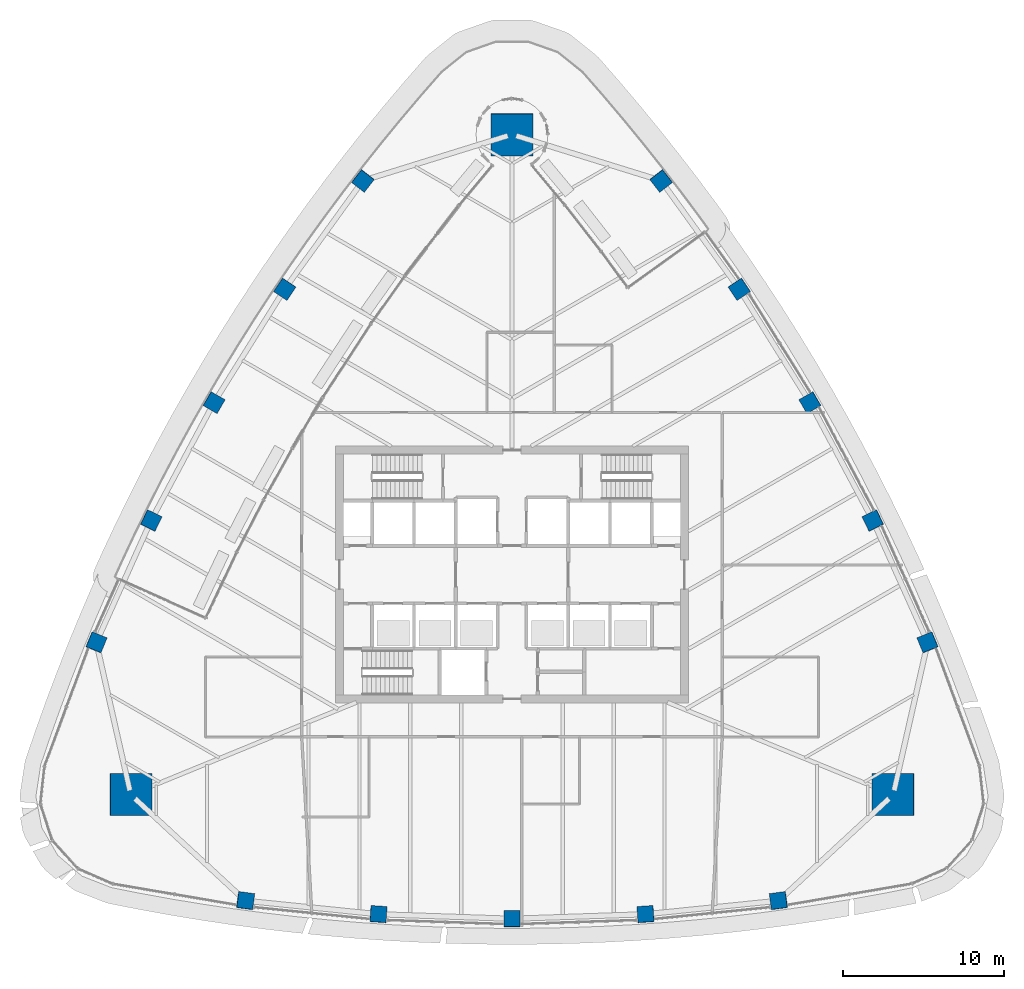
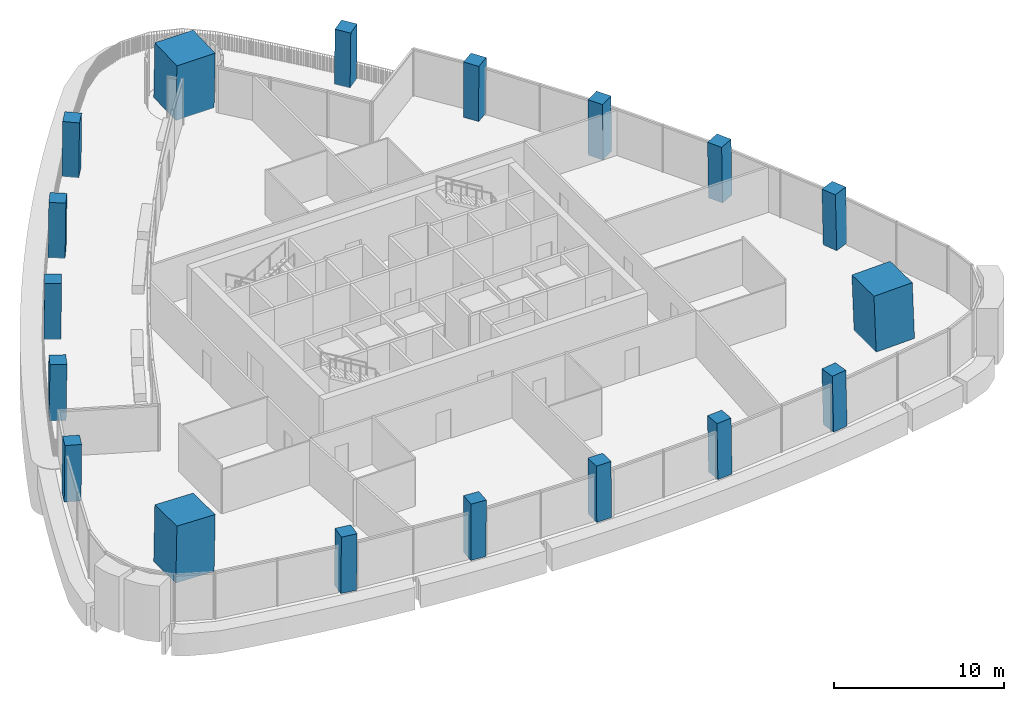
# One storey, part 1 of 19: 18 columns.
"""IFC4 building model written with IfcOpenShell, lengths in metres."""

from ifc_helpers import new_model, si_unit, direction, frame, origin, origin_2d, place, context, subcontext, project, spatial, rectangle, extrude, material, material_profile, profile_set, type_object, element, save


model = new_model("IFC4")

# Units and contexts
model_context = context("Model", 3, precision=1e-05, world=origin(), true_north=direction((0.0, 1.0)))
body_context = subcontext(model_context, "Body", "Model", "MODEL_VIEW")
ifc_project = project(units=[si_unit("LENGTHUNIT", "METRE"), si_unit("AREAUNIT", "SQUARE_METRE"), si_unit("VOLUMEUNIT", "CUBIC_METRE"), si_unit("PLANEANGLEUNIT", "RADIAN"), si_unit("MASSUNIT", "GRAM", prefix="KILO")], contexts=[model_context])

# Site, building, storey
site_placement = place(None, origin())
site = spatial("IfcSite", under=ifc_project, at=site_placement, CompositionType="ELEMENT")
building_placement = place(site_placement, origin())
building = spatial("IfcBuilding", under=site, at=building_placement, Name="Sierra Prisma Convention Tower", CompositionType="ELEMENT")
storey_placement = place(building_placement, frame((0.0, 0.0, 173.800048828125)))
storey = spatial("IfcBuildingStorey", under=building, at=storey_placement, Name="L38", CompositionType="ELEMENT", Elevation=173.800048828125)

# Columns
ifc_material_1 = material(Name="Concrete C60/75", Category="concrete")
ifc_material_profile_1 = material_profile(ifc_material_1, rectangle(XDim=2.60009765625, YDim=2.60009765625, at=origin_2d()), Name="Mega column RC 2600 C60/75")
ifc_profile_set_1 = profile_set([ifc_material_profile_1], Name="Concrete C60/75")
column_type_1 = type_object("IfcColumnType", Name="Mega column RC 2600 C60/75", PredefinedType="COLUMN", material=ifc_profile_set_1)
for number, where, z_axis, x_axis, name in (
    (1, (23.747314453125, -13.71044921875, 0.0), (-0.028061445165, 0.016165832541, 0.999475473012), (0.999606200108, 0.000453815336, 0.028057775329), "Mega column SE L38"),
    (2, (0.0, 27.4208984375, 0.0), (0.0, -0.032331720729, 0.999477193254), (1.0, 0.0, 0.0), "Mega column N L38"),
    (3, (-23.747314453125, -13.71044921875, 0.0), (0.028061445165, 0.016165832541, 0.999475473012), (0.999606200108, -0.000453815336, -0.028057775329), "Mega column SW L38"),
):
    element("IfcColumn", number, at=place(storey_placement, frame(where, z_axis=z_axis, x_axis=x_axis)), inside=storey, type_object=column_type_1, Name=name, PredefinedType="COLUMN", context=body_context, shape_type="SweptSolid", body=[
        extrude(rectangle(XDim=2.60009765625, YDim=2.60009765625, at=origin_2d()), origin(), (0.0, 0.0, 1.0), 4.002197265625),
    ])
ifc_material_2 = material(Name="Concrete C60/75", Category="concrete")
ifc_material_profile_2 = material_profile(ifc_material_2, rectangle(XDim=1.0, YDim=1.0, at=origin_2d()), Name="Perimeter column RC 1000 C60/75")
ifc_profile_set_2 = profile_set([ifc_material_profile_2], Name="Concrete C60/75")
column_type_2 = type_object("IfcColumnType", Name="Perimeter column RC 1000 C60/75", PredefinedType="COLUMN", material=ifc_profile_set_2)
column_1_placement = place(storey_placement, frame((-16.60693359375, -20.314697265625, 0.0), z_axis=(0.017635445209, 0.010495835903, 0.999789392073), x_axis=(-0.990749179491, 0.134751980864, 0.01606135084)))
element("IfcColumn", 4, at=column_1_placement, inside=storey, type_object=column_type_2, Name="Perimeter column S-1 L38", PredefinedType="COLUMN", context=body_context, shape_type="SweptSolid", body=[
    extrude(rectangle(XDim=1.0, YDim=1.0, at=origin_2d()), origin(), (0.0, 0.0, 1.0), 4.000732421875),
])
column_2_placement = place(storey_placement, frame((-8.322509765625, -21.15625, 0.0), z_axis=(0.008849193104, 0.011229320904, 0.999897791843), x_axis=(-0.997684103914, 0.067537291309, 0.00807112631)))
element("IfcColumn", 5, at=column_2_placement, inside=storey, type_object=column_type_2, Name="Perimeter column S-2 L38", PredefinedType="COLUMN", context=body_context, shape_type="SweptSolid", body=[
    extrude(rectangle(XDim=1.0, YDim=1.0, at=origin_2d()), origin(), (0.0, 0.0, 1.0), 4.00048828125),
])
column_3_placement = place(storey_placement, frame((0.0, -21.43701171875, 0.0), z_axis=(0.0, 0.01141283087, 0.999934871525), x_axis=(1.0, 0.0, 0.0)))
element("IfcColumn", 6, at=column_3_placement, inside=storey, type_object=column_type_2, Name="Perimeter column S-3 L38", PredefinedType="COLUMN", context=body_context, shape_type="SweptSolid", body=[
    extrude(rectangle(XDim=1.0, YDim=1.0, at=origin_2d()), origin(), (0.0, 0.0, 1.0), 4.000244140625),
])
column_4_placement = place(storey_placement, frame((8.322509765625, -21.15625, 0.0), z_axis=(-0.008849193104, 0.011229320904, 0.999897791843), x_axis=(0.997684103914, 0.067537291309, 0.00807112631)))
element("IfcColumn", 7, at=column_4_placement, inside=storey, type_object=column_type_2, Name="Perimeter column S-4 L38", PredefinedType="COLUMN", context=body_context, shape_type="SweptSolid", body=[
    extrude(rectangle(XDim=1.0, YDim=1.0, at=origin_2d()), origin(), (0.0, 0.0, 1.0), 4.00048828125),
])
for number, where, z_axis, x_axis, name in (
    (8, (16.60693359375, -20.314697265625, 0.0), (-0.017635445209, 0.010495835903, 0.999789392073), (0.990749179491, 0.134751980864, 0.01606135084), "Perimeter column S-5 L38"),
    (9, (25.896484375, -4.224853515625, 0.0), (-0.017879535448, 0.010068680372, 0.999789449778), (-0.378844878394, 0.925320242146, -0.016093712727), "Perimeter column NE-1 L38"),
):
    element("IfcColumn", number, at=place(storey_placement, frame(where, z_axis=z_axis, x_axis=x_axis)), inside=storey, type_object=column_type_2, Name=name, PredefinedType="COLUMN", context=body_context, shape_type="SweptSolid", body=[
        extrude(rectangle(XDim=1.0, YDim=1.0, at=origin_2d()), origin(), (0.0, 0.0, 1.0), 4.000732421875),
    ])
column_5_placement = place(storey_placement, frame((22.48291015625, 3.37060546875, 0.0), z_axis=(-0.014097689605, 0.002074984617, 0.999898469639), x_axis=(-0.440410985466, 0.897759990015, -0.008072435138)))
element("IfcColumn", 10, at=column_5_placement, inside=storey, type_object=column_type_2, Name="Perimeter column NE-2 L38", PredefinedType="COLUMN", context=body_context, shape_type="SweptSolid", body=[
    extrude(rectangle(XDim=1.0, YDim=1.0, at=origin_2d()), origin(), (0.0, 0.0, 1.0), 4.00048828125),
])
column_6_placement = place(storey_placement, frame((18.565185546875, 10.718505859375, 0.0), z_axis=(-0.00994807791, -0.005675897212, 0.999934407817), x_axis=(-0.499975258324, 0.866039685968, -5.8244404e-05)))
element("IfcColumn", 11, at=column_6_placement, inside=storey, type_object=column_type_2, Name="Perimeter column NE-3 L38", PredefinedType="COLUMN", context=body_context, shape_type="SweptSolid", body=[
    extrude(rectangle(XDim=1.0, YDim=1.0, at=origin_2d()), origin(), (0.0, 0.0, 1.0), 4.000244140625),
])
column_7_placement = place(storey_placement, frame((14.16064453125, 17.785400390625, 0.0), z_axis=(-0.005309522349, -0.013182262383, 0.999899013366), x_axis=(-0.557260557903, 0.830299268078, 0.007987242027)))
element("IfcColumn", 12, at=column_7_placement, inside=storey, type_object=column_type_2, Name="Perimeter column NE-4 L38", PredefinedType="COLUMN", context=body_context, shape_type="SweptSolid", body=[
    extrude(rectangle(XDim=1.0, YDim=1.0, at=origin_2d()), origin(), (0.0, 0.0, 1.0), 4.00048828125),
])
for number, where, z_axis, x_axis, name in (
    (13, (9.28955078125, 24.539306640625, 0.0), (-0.0002440896, -0.020442503975, 0.999791000385), (-0.611997816063, 0.790697226077, 0.016017796599), "Perimeter column NE-5 L38"),
    (14, (-9.28955078125, 24.539306640625, 0.0), (0.0002440896, -0.020442503975, 0.999791000385), (0.611997816063, 0.790697226077, 0.016017796599), "Perimeter column NW-1 L38"),
):
    element("IfcColumn", number, at=place(storey_placement, frame(where, z_axis=z_axis, x_axis=x_axis)), inside=storey, type_object=column_type_2, Name=name, PredefinedType="COLUMN", context=body_context, shape_type="SweptSolid", body=[
        extrude(rectangle(XDim=1.0, YDim=1.0, at=origin_2d()), origin(), (0.0, 0.0, 1.0), 4.000732421875),
    ])
column_8_placement = place(storey_placement, frame((-14.16064453125, 17.785400390625, 0.0), z_axis=(0.005309522349, -0.013182262383, 0.999899013366), x_axis=(0.557260557903, 0.830299268078, 0.007987242027)))
element("IfcColumn", 15, at=column_8_placement, inside=storey, type_object=column_type_2, Name="Perimeter column NW-2 L38", PredefinedType="COLUMN", context=body_context, shape_type="SweptSolid", body=[
    extrude(rectangle(XDim=1.0, YDim=1.0, at=origin_2d()), origin(), (0.0, 0.0, 1.0), 4.00048828125),
])
column_9_placement = place(storey_placement, frame((-18.565185546875, 10.718505859375, 0.0), z_axis=(0.00994807791, -0.005675897212, 0.999934407817), x_axis=(0.499975258324, 0.866039685968, -5.8244404e-05)))
element("IfcColumn", 16, at=column_9_placement, inside=storey, type_object=column_type_2, Name="Perimeter column NW-3 L38", PredefinedType="COLUMN", context=body_context, shape_type="SweptSolid", body=[
    extrude(rectangle(XDim=1.0, YDim=1.0, at=origin_2d()), origin(), (0.0, 0.0, 1.0), 4.000244140625),
])
column_10_placement = place(storey_placement, frame((-22.48291015625, 3.37060546875, 0.0), z_axis=(0.014097689605, 0.002074984617, 0.999898469639), x_axis=(0.440410985466, 0.897759990015, -0.008072435138)))
element("IfcColumn", 17, at=column_10_placement, inside=storey, type_object=column_type_2, Name="Perimeter column NW-4 L38", PredefinedType="COLUMN", context=body_context, shape_type="SweptSolid", body=[
    extrude(rectangle(XDim=1.0, YDim=1.0, at=origin_2d()), origin(), (0.0, 0.0, 1.0), 4.00048828125),
])
column_11_placement = place(storey_placement, frame((-25.896484375, -4.224853515625, 0.0), z_axis=(0.017879535448, 0.010068680372, 0.999789449778), x_axis=(0.378844878394, 0.925320242146, -0.016093712727)))
element("IfcColumn", 18, at=column_11_placement, inside=storey, type_object=column_type_2, Name="Perimeter column NW-5 L38", PredefinedType="COLUMN", context=body_context, shape_type="SweptSolid", body=[
    extrude(rectangle(XDim=1.0, YDim=1.0, at=origin_2d()), origin(), (0.0, 0.0, 1.0), 4.000732421875),
])

save(model, "model.ifc")
